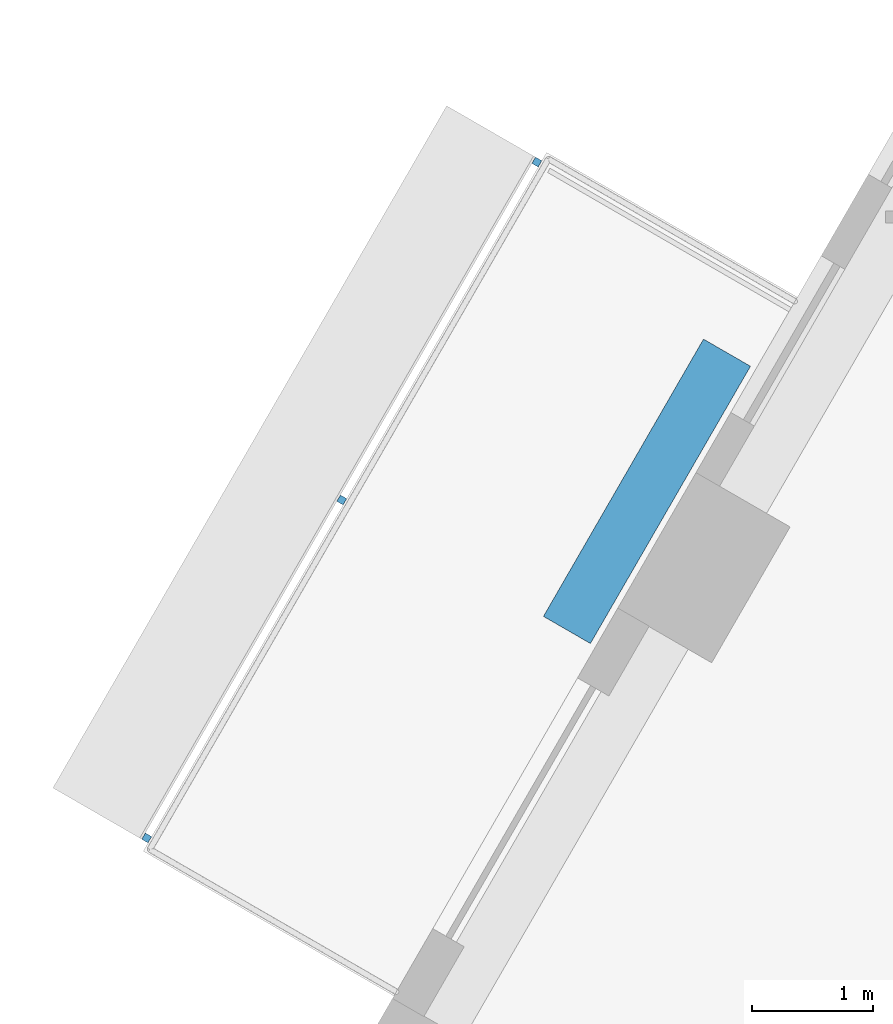
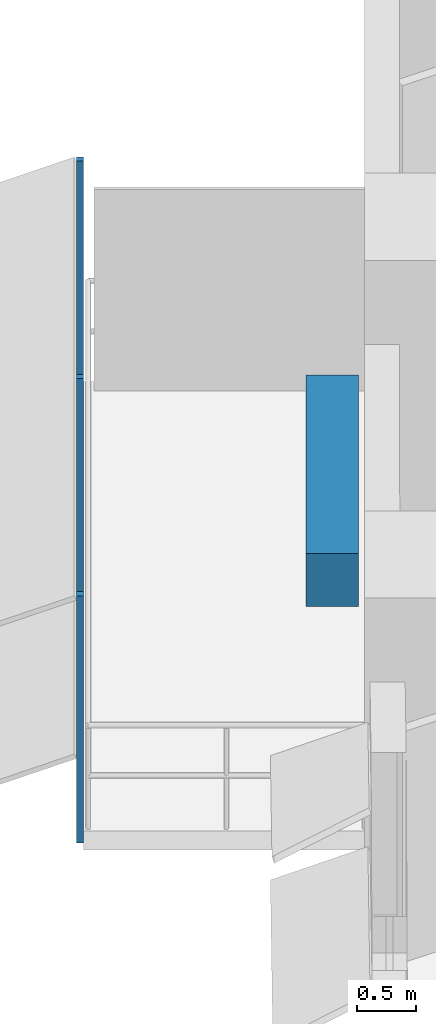
# One storey, part 10 of 14: 4 discrete accessories.
"""IFC4 building model written with IfcOpenShell, lengths in metres."""

from ifc_helpers import new_model, si_unit, direction, frame, origin, origin_2d, place, context, subcontext, project, spatial, rectangle, extrude, material, type_object, element, save


model = new_model("IFC4")

# Units and contexts
model_context = context("Model", 3, precision=1e-05, world=origin(), true_north=direction((0.0, 1.0)))
body_context = subcontext(model_context, "Body", "Model", "MODEL_VIEW")
ifc_project = project(units=[si_unit("LENGTHUNIT", "METRE"), si_unit("AREAUNIT", "SQUARE_METRE"), si_unit("VOLUMEUNIT", "CUBIC_METRE"), si_unit("PLANEANGLEUNIT", "RADIAN"), si_unit("MASSUNIT", "GRAM", prefix="KILO")], contexts=[model_context])

# Site, building, storey
site_placement = place(None, origin())
site = spatial("IfcSite", under=ifc_project, at=site_placement, CompositionType="ELEMENT")
building_placement = place(site_placement, origin())
building = spatial("IfcBuilding", under=site, at=building_placement, Name="Nakaniwa Court", CompositionType="ELEMENT")
storey_placement = place(building_placement, frame((0.0, 0.0, 127.199951171875)))
storey = spatial("IfcBuildingStorey", under=building, at=storey_placement, Name="L32", CompositionType="ELEMENT", Elevation=127.199951171875)

# Discrete accessories
ifc_material_1 = material(Name="Black powder-coated steel bracket S275", Category="steel")
discrete_accessory_type_1 = type_object("IfcDiscreteAccessoryType", Name="Black metal louvre bracket", PredefinedType="BRACKET", material=ifc_material_1)
for number, where, z_axis, x_axis, name in (
    (1, (58.307373046875, 95.287353515625, -0.229736328125), (0.0, 0.0, 1.0), (-0.499975815814, -0.866039366081, 0.0), "L32 louvre bracket 01 1"),
    (2, (56.690185546875, 92.486328125, -0.229736328125), (0.0, 0.0, 1.0), (-0.499975815814, -0.866039366081, 0.0), "L32 louvre bracket 01 2"),
    (3, (55.072998046875, 89.68505859375, -0.229736328125), (0.0, 0.0, 1.0), (-0.499975815814, -0.866039366081, 0.0), "L32 louvre bracket 01 3"),
):
    element("IfcDiscreteAccessory", number, at=place(storey_placement, frame(where, z_axis=z_axis, x_axis=x_axis)), inside=storey, type_object=discrete_accessory_type_1, Name=name, PredefinedType="BRACKET", context=body_context, shape_type="SweptSolid", body=[
        extrude(rectangle(XDim=0.06005859375, YDim=0.06005859375, at=origin_2d()), origin(), (0.0, 0.0, 1.0), 2.5751953125),
    ])
ifc_material_2 = material(Name="Precast concrete C40/50 planter with planted soil", Category="concrete")
discrete_accessory_type_2 = type_object("IfcDiscreteAccessoryType", Name="Planter box charcoal concrete", PredefinedType="USERDEFINED", material=ifc_material_2)
discrete_accessory_placement = place(storey_placement, frame((59.219970703125, 92.55810546875, -0.0498046875), z_axis=(0.0, 0.0, 1.0), x_axis=(-0.499975815814, -0.866039366081, 0.0)))
element("IfcDiscreteAccessory", 4, at=discrete_accessory_placement, inside=storey, type_object=discrete_accessory_type_2, Name="L32 balcony PLANTER 01", ObjectType="PLANTER", PredefinedType="USERDEFINED", context=body_context, shape_type="SweptSolid", body=[
    extrude(rectangle(XDim=2.654296875, YDim=0.449951171875, at=origin_2d()), origin(), (0.0, 0.0, 1.0), 0.550048828125),
])

save(model, "model.ifc")
